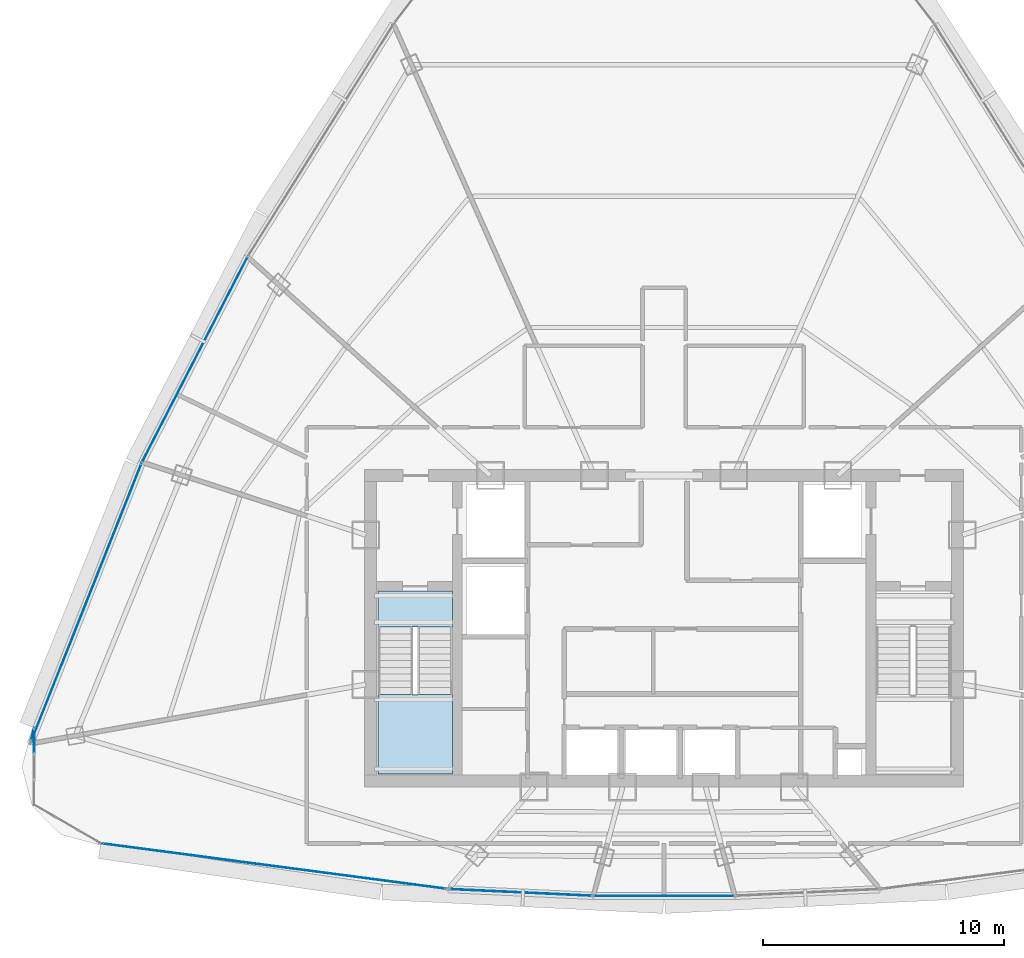
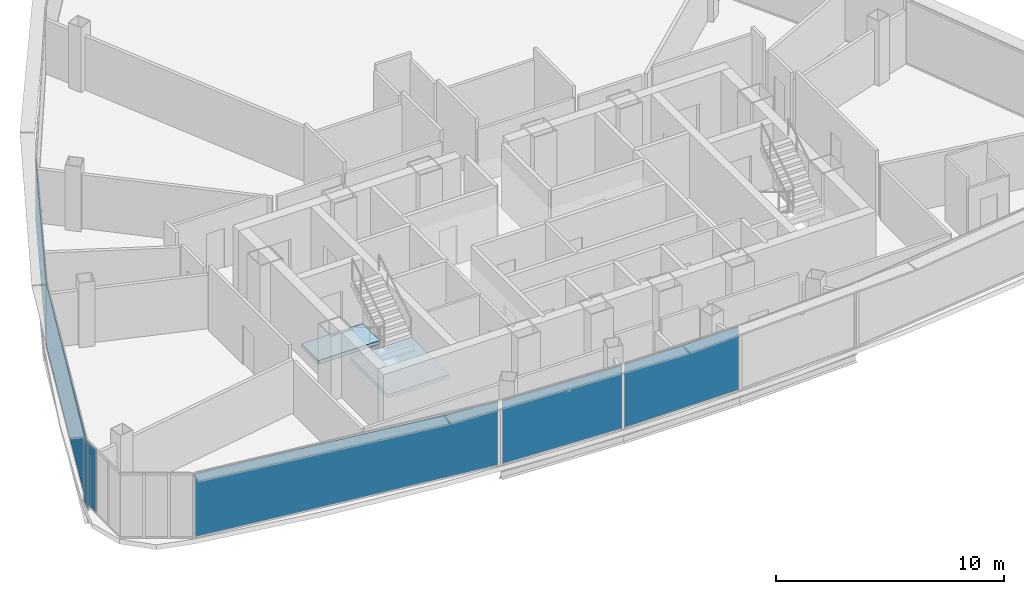
# One storey, part 21 of 29: 7 plates, 2 slabs, 8 elements without a shape of their own.
"""IFC4 building model written with IfcOpenShell, lengths in metres."""

from ifc_helpers import new_model, si_unit, direction, frame, origin, origin_2d, place, context, subcontext, project, spatial, polyline, rectangle, outline, extrude, source, transform, mapped, material, layer, layer_set, type_object, element, aggregate, save


model = new_model("IFC4")

# Units and contexts
model_context = context("Model", 3, precision=1e-05, world=origin(), true_north=direction((0.0, 1.0)))
body_context = subcontext(model_context, "Body", "Model", "MODEL_VIEW")
ifc_project = project(units=[si_unit("LENGTHUNIT", "METRE"), si_unit("AREAUNIT", "SQUARE_METRE"), si_unit("VOLUMEUNIT", "CUBIC_METRE"), si_unit("PLANEANGLEUNIT", "RADIAN"), si_unit("MASSUNIT", "GRAM", prefix="KILO"), si_unit("THERMODYNAMICTEMPERATUREUNIT", "KELVIN"), si_unit("POWERUNIT", "WATT")], contexts=[model_context])

# Site, building, storey
site_placement = place(None, origin())
site = spatial("IfcSite", under=ifc_project, at=site_placement, CompositionType="ELEMENT")
building_placement = place(site_placement, origin())
building = spatial("IfcBuilding", under=site, at=building_placement, Name="Yunzhuo Pagoda Commons", CompositionType="ELEMENT")
storey_placement = place(building_placement, frame((0.0, 0.0, 363.010009765625)))
storey = spatial("IfcBuildingStorey", under=building, at=storey_placement, Name="L91", CompositionType="ELEMENT", Elevation=363.010009765625)

# Stair, slabs
ifc_material_1 = material(Name="Concrete C40", Category="concrete")
stair_type = type_object("IfcStairType", Name="ST-C1 Core Smokeproof Stair ST1", PredefinedType="HALF_TURN_STAIR", material=ifc_material_1)
stair_placement = place(storey_placement, origin())
stair = element("IfcStair", 1, at=stair_placement, inside=storey, type_object=stair_type, Name="L91 Core smokeproof stair ST1", PredefinedType="HALF_TURN_STAIR")
ifc_layer_1 = layer(ifc_material_1, 0.199951171875)
ifc_layer_set_1 = layer_set([ifc_layer_1], Name="Concrete C40")
slab_type = type_object("IfcSlabType", Name="SL-LND1 Stair Landing Slab 200", PredefinedType="LANDING", material=ifc_layer_set_1)
slab_1_placement = place(storey_placement, frame((0.0, 0.0, 1.675048828125)))
slab_1 = element("IfcSlab", 2, at=slab_1_placement, type_object=slab_type, Name="ST1 landing 1", PredefinedType="LANDING", context=body_context, shape_type="SweptSolid", body=[
    extrude(outline(polyline([(36.10009765625, 31.10009765625), (36.10009765625, 27.800048828125), (39.199951171875, 27.800048828125), (39.199951171875, 31.10009765625), (36.10009765625, 31.10009765625)])), origin(), (0.0, 0.0, 1.0), 0.199951171875),
])
slab_2_placement = place(storey_placement, frame((0.0, 0.0, -0.199951171875)))
slab_2 = element("IfcSlab", 3, at=slab_2_placement, type_object=slab_type, Name="ST1 floor landing L91", PredefinedType="LANDING", context=body_context, shape_type="SweptSolid", body=[
    extrude(outline(polyline([(36.10009765625, 35.39990234375), (36.10009765625, 33.89990234375), (39.199951171875, 33.89990234375), (39.199951171875, 35.39990234375), (36.10009765625, 35.39990234375)])), origin(), (0.0, 0.0, 1.0), 0.199951171875),
])
aggregate(stair, [slab_1, slab_2])

# Curtain wall, plate
ifc_material_2 = material(Name="Anodized aluminium 6063-T6", Category="aluminium")
ifc_layer_2 = layer(ifc_material_2, 0.139892578125)
ifc_layer_set_2 = layer_set([ifc_layer_2], Name="Anodized aluminium 6063-T6")
curtain_wall_type_1 = type_object("IfcCurtainWallType", Name="CW-HI High-Zone Ribbon Curtain Wall", PredefinedType="NOTDEFINED", material=ifc_layer_set_2)
curtain_wall_1_placement = place(storey_placement, origin())
curtain_wall_1 = element("IfcCurtainWall", 4, at=curtain_wall_1_placement, inside=storey, type_object=curtain_wall_type_1, Name="L91 curtain wall CW-L91-F1B2", PredefinedType="NOTDEFINED")
ifc_material_3 = material(Name="Tempered low-e double glazing", Category="glass")
ifc_layer_3 = layer(ifc_material_3, 0.02587890625)
ifc_layer_set_3 = layer_set([ifc_layer_3], Name="Tempered low-e double glazing")
plate_type_1 = type_object("IfcPlateType", Name="CW-HI-P Low-E Double Glazing 26", PredefinedType="CURTAIN_PANEL", material=ifc_layer_set_3)
shared_shape_1 = source(origin(), body_context, "Body", "SweptSolid", [
    extrude(rectangle(XDim=5.919189453125, YDim=0.028076171875, at=origin_2d()), origin(), (0.0, 0.0, 1.0), 3.360107421875),
])
plate_1_placement = place(storey_placement, frame((42.04248046875, 22.8642578125, 0.05517578125), z_axis=(0.0, 0.0, 1.0), x_axis=(0.998908420017, -0.046711544825, 0.0)))
plate_1 = element("IfcPlate", 5, at=plate_1_placement, type_object=plate_type_1, Name="CW panel 1.1", PredefinedType="CURTAIN_PANEL", context=body_context, shape_type="MappedRepresentation", body=[
    mapped(shared_shape_1, transform((0.0, 0.0, 0.0), scale=1.0)),
])
aggregate(curtain_wall_1, [plate_1])

curtain_wall_2_placement = place(storey_placement, origin())
curtain_wall_2 = element("IfcCurtainWall", 6, at=curtain_wall_2_placement, inside=storey, type_object=curtain_wall_type_1, Name="L91 curtain wall CW-L91-F1B3", PredefinedType="NOTDEFINED")
shared_shape_2 = source(origin(), body_context, "Body", "SweptSolid", [
    extrude(rectangle(XDim=5.762451171875, YDim=0.028076171875, at=origin_2d()), origin(), (0.0, 0.0, 1.0), 3.360107421875),
])
plate_2_placement = place(storey_placement, frame((48.0, 22.723388671875, 0.05517578125), z_axis=(0.0, 0.0, 1.0), x_axis=(1.0, 0.0, 0.0)))
plate_2 = element("IfcPlate", 7, at=plate_2_placement, type_object=plate_type_1, Name="CW panel 1.1", PredefinedType="CURTAIN_PANEL", context=body_context, shape_type="MappedRepresentation", body=[
    mapped(shared_shape_2, transform((0.0, 0.0, 0.0), scale=1.0)),
])
aggregate(curtain_wall_2, [plate_2])

curtain_wall_3_placement = place(storey_placement, origin())
curtain_wall_3 = element("IfcCurtainWall", 8, at=curtain_wall_3_placement, inside=storey, type_object=curtain_wall_type_1, Name="L91 curtain wall CW-L91-F1B1", PredefinedType="NOTDEFINED")
shared_shape_3 = source(origin(), body_context, "Body", "SweptSolid", [
    extrude(rectangle(XDim=14.375244140625, YDim=0.028076171875, at=origin_2d()), origin(), (0.0, 0.0, 1.0), 3.360107421875),
])
plate_3_placement = place(storey_placement, frame((31.76611328125, 23.9609375, 0.05517578125), z_axis=(0.0, 0.0, 1.0), x_axis=(0.991447578534, -0.130505551679, 0.0)))
plate_3 = element("IfcPlate", 9, at=plate_3_placement, type_object=plate_type_1, Name="CW panel 1.1", PredefinedType="CURTAIN_PANEL", context=body_context, shape_type="MappedRepresentation", body=[
    mapped(shared_shape_3, transform((0.0, 0.0, 0.0), scale=1.0)),
])
aggregate(curtain_wall_3, [plate_3])

curtain_wall_4_placement = place(storey_placement, origin())
curtain_wall_4 = element("IfcCurtainWall", 10, at=curtain_wall_4_placement, inside=storey, type_object=curtain_wall_type_1, Name="L91 curtain wall CW-L91-F3B4", PredefinedType="NOTDEFINED")
shared_shape_4 = source(origin(), body_context, "Body", "SweptSolid", [
    extrude(rectangle(XDim=12.46630859375, YDim=0.028076171875, at=origin_2d()), origin(), (0.0, 0.0, 1.0), 3.360107421875),
])
plate_4_placement = place(storey_placement, frame((23.973388671875, 34.903076171875, 0.05517578125), z_axis=(0.0, 0.0, 1.0), x_axis=(-0.368970270902, -0.929441197274, 0.0)))
plate_4 = element("IfcPlate", 11, at=plate_4_placement, type_object=plate_type_1, Name="CW panel 1.1", PredefinedType="CURTAIN_PANEL", context=body_context, shape_type="MappedRepresentation", body=[
    mapped(shared_shape_4, transform((0.0, 0.0, 0.0), scale=1.0)),
])
aggregate(curtain_wall_4, [plate_4])

curtain_wall_5_placement = place(storey_placement, origin())
curtain_wall_5 = element("IfcCurtainWall", 12, at=curtain_wall_5_placement, inside=storey, type_object=curtain_wall_type_1, Name="L91 curtain wall CW-L91-F3B3", PredefinedType="NOTDEFINED")
shared_shape_5 = source(origin(), body_context, "Body", "SweptSolid", [
    extrude(rectangle(XDim=9.480224609375, YDim=0.028076171875, at=origin_2d()), origin(), (0.0, 0.0, 1.0), 3.360107421875),
])
plate_5_placement = place(storey_placement, frame((28.490478515625, 45.021240234375, 0.05517578125), z_axis=(0.0, 0.0, 1.0), x_axis=(-0.457276461979, -0.889324596151, 0.0)))
plate_5 = element("IfcPlate", 13, at=plate_5_placement, type_object=plate_type_1, Name="CW panel 1.1", PredefinedType="CURTAIN_PANEL", context=body_context, shape_type="MappedRepresentation", body=[
    mapped(shared_shape_5, transform((0.0, 0.0, 0.0), scale=1.0)),
])
aggregate(curtain_wall_5, [plate_5])

curtain_wall_6_placement = place(storey_placement, origin())
curtain_wall_6 = element("IfcCurtainWall", 14, at=curtain_wall_6_placement, inside=storey, type_object=curtain_wall_type_1, Name="L91 curtain wall CW-L91-F3B5", PredefinedType="NOTDEFINED")
shared_shape_6 = source(origin(), body_context, "Body", "SweptSolid", [
    extrude(rectangle(XDim=0.4892578125, YDim=0.028076171875, at=origin_2d()), origin(), (0.0, 0.0, 1.0), 3.360107421875),
])
plate_6_placement = place(storey_placement, frame((21.744140625, 29.422119140625, 0.05517578125), z_axis=(0.0, 0.0, 1.0), x_axis=(0.244234544564, 0.969716189017, 0.0)))
plate_6 = element("IfcPlate", 15, at=plate_6_placement, type_object=plate_type_1, Name="CW panel 1.1", PredefinedType="CURTAIN_PANEL", context=body_context, shape_type="MappedRepresentation", body=[
    mapped(shared_shape_6, transform((0.0, 0.0, 0.0), scale=1.0)),
])
aggregate(curtain_wall_6, [plate_6])

ifc_layer_4 = layer(ifc_material_2, 0.1298828125)
ifc_layer_set_4 = layer_set([ifc_layer_4], Name="Anodized aluminium 6063-T6")
curtain_wall_type_2 = type_object("IfcCurtainWallType", Name="CW-VTX Rounded Corner Curtain Wall", PredefinedType="NOTDEFINED", material=ifc_layer_set_4)
curtain_wall_7_placement = place(storey_placement, origin())
curtain_wall_7 = element("IfcCurtainWall", 16, at=curtain_wall_7_placement, inside=storey, type_object=curtain_wall_type_2, Name="L91 curtain wall CW-L91-VTX1S1", PredefinedType="NOTDEFINED")
ifc_layer_5 = layer(ifc_material_3, 0.02587890625)
ifc_layer_set_5 = layer_set([ifc_layer_5], Name="Tempered low-e double glazing")
plate_type_2 = type_object("IfcPlateType", Name="CW-VTX-P Low-E Double Glazing 26", PredefinedType="CURTAIN_PANEL", material=ifc_layer_set_5)
shared_shape_7 = source(origin(), body_context, "Body", "SweptSolid", [
    extrude(rectangle(XDim=1.001220703125, YDim=0.028076171875, at=origin_2d()), origin(), (0.0, 0.0, 1.0), 3.360107421875),
])
plate_7_placement = place(storey_placement, frame((21.81640625, 29.161865234375, 0.05517578125), z_axis=(0.0, 0.0, 1.0), x_axis=(-0.003598647958, -0.999993524845, 0.0)))
plate_7 = element("IfcPlate", 17, at=plate_7_placement, type_object=plate_type_2, Name="CW panel 1.1", PredefinedType="CURTAIN_PANEL", context=body_context, shape_type="MappedRepresentation", body=[
    mapped(shared_shape_7, transform((0.0, 0.0, 0.0), scale=1.0)),
])
aggregate(curtain_wall_7, [plate_7])

save(model, "model.ifc")
